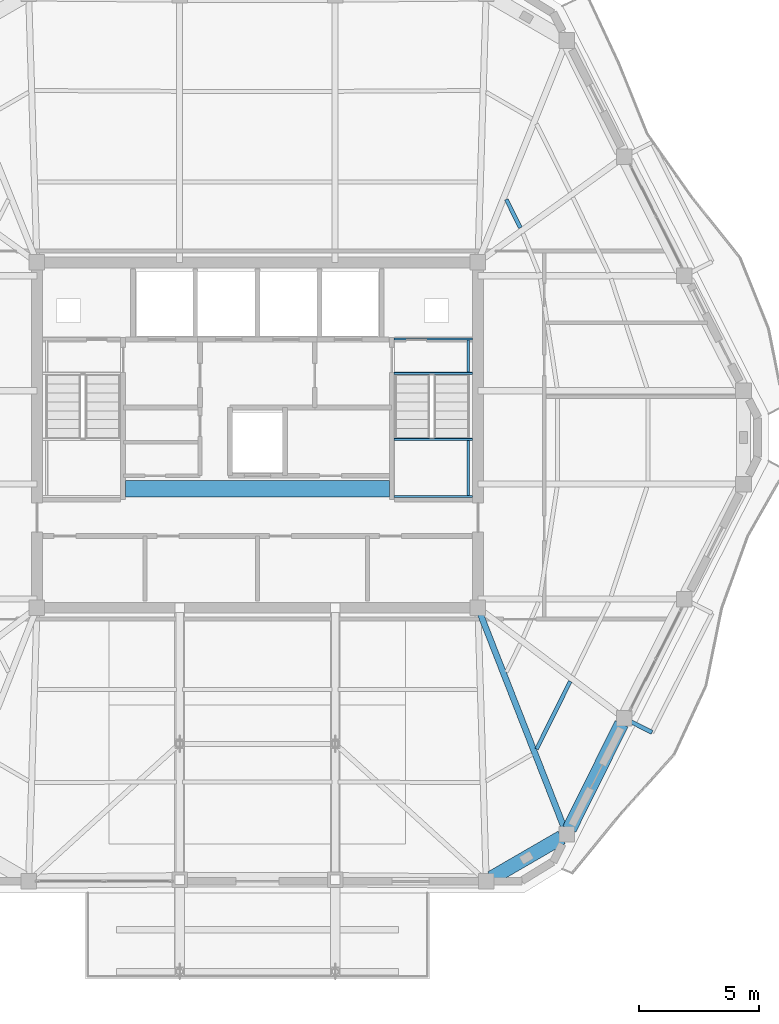
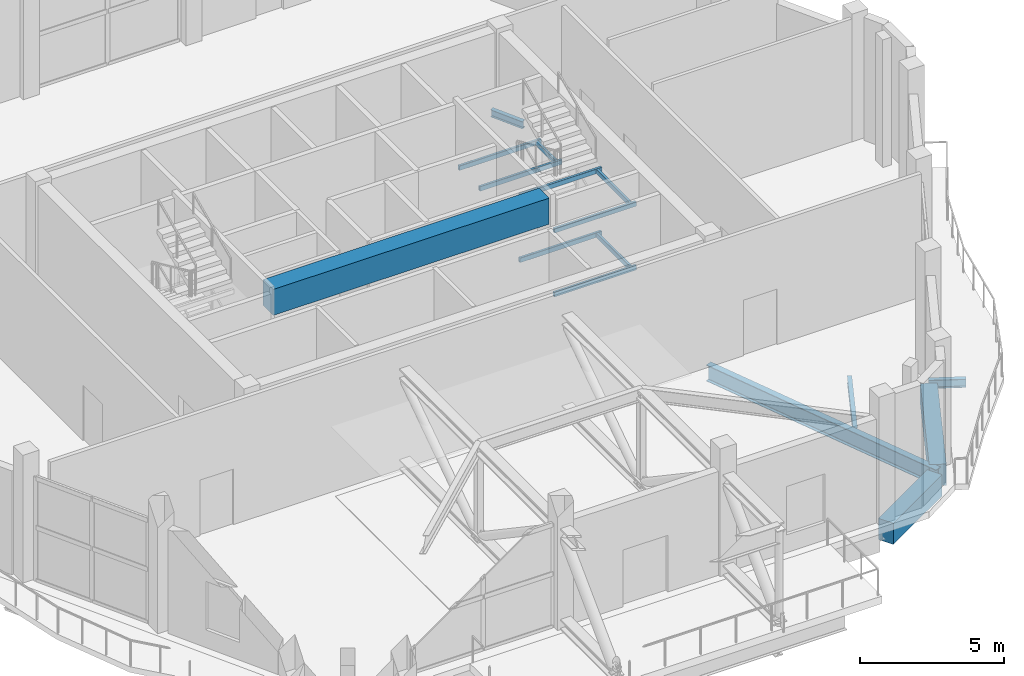
# One storey, part 9 of 23: 16 beams.
"""IFC4 building model written with IfcOpenShell, lengths in metres."""

from ifc_helpers import new_model, si_unit, direction, frame, origin, origin_2d, place, context, subcontext, project, spatial, rectangle, hollow_rectangle, i_section, extrude, material, material_profile, profile_set, type_object, element, save


model = new_model("IFC4")

# Units and contexts
model_context = context("Model", 3, precision=1e-05, world=origin(), true_north=direction((0.0, 1.0)))
body_context = subcontext(model_context, "Body", "Model", "MODEL_VIEW")
ifc_project = project(units=[si_unit("LENGTHUNIT", "METRE"), si_unit("AREAUNIT", "SQUARE_METRE"), si_unit("VOLUMEUNIT", "CUBIC_METRE"), si_unit("PLANEANGLEUNIT", "RADIAN"), si_unit("MASSUNIT", "GRAM", prefix="KILO")], contexts=[model_context])

# Site, building, storey
site_placement = place(None, origin())
site = spatial("IfcSite", under=ifc_project, at=site_placement, CompositionType="ELEMENT")
building_placement = place(site_placement, origin())
building = spatial("IfcBuilding", under=site, at=building_placement, Name="Cinnabar Lancet Tower", CompositionType="ELEMENT")
storey_placement = place(building_placement, frame((0.0, 0.0, 278.10009765625)))
storey = spatial("IfcBuildingStorey", under=building, at=storey_placement, Name="L74", CompositionType="ELEMENT", Elevation=278.10009765625)

# Beams
ifc_material_1 = material(Name="Concrete C70/85", Category="concrete")
ifc_material_profile_1 = material_profile(ifc_material_1, rectangle(XDim=0.699951171875, YDim=1.10009765625, at=origin_2d()), Name="RC-CB 700x1100")
ifc_profile_set_1 = profile_set([ifc_material_profile_1], Name="Concrete C70/85")
beam_type_1 = type_object("IfcBeamType", Name="STR-BM-CB-1100", PredefinedType="BEAM", material=ifc_profile_set_1)
beam_1_placement = place(storey_placement, frame((26.8798828125, 23.64990234375, 4.64990234375), z_axis=(1.0, 0.0, 0.0), x_axis=(0.0, 1.0, 0.0)))
element("IfcBeam", 1, at=beam_1_placement, inside=storey, type_object=beam_type_1, Name="L74 Core Coupling Beam", PredefinedType="BEAM", context=body_context, shape_type="SweptSolid", body=[
    extrude(rectangle(XDim=0.699951171875, YDim=1.10009765625, at=origin_2d()), origin(), (0.0, 0.0, 1.0), 11.0400390625),
])
ifc_material_2 = material(Name="Structural steel S355", Category="steel")
ifc_material_profile_2 = material_profile(ifc_material_2, i_section(OverallWidth=0.1650390625, OverallDepth=0.303466796875, WebThickness=0.006103515625, FlangeThickness=0.01025390625, FilletRadius=0.0087890625, at=origin_2d()), Name="UKB 305x165x40")
ifc_profile_set_2 = profile_set([ifc_material_profile_2], Name="Structural steel S355")
beam_type_2 = type_object("IfcBeamType", Name="STR-BM-JST-305", PredefinedType="JOIST", material=ifc_profile_set_2)
beam_2_placement = place(storey_placement, frame((44.0791015625, 12.759033203125, -0.43212890625), z_axis=(0.444437083941, 0.895810068272, 0.0), x_axis=(-0.895810068272, 0.444437083941, 0.0)))
element("IfcBeam", 2, at=beam_2_placement, inside=storey, type_object=beam_type_2, Name="L74 Secondary Floor Joist 15", PredefinedType="JOIST", context=body_context, shape_type="SweptSolid", body=[
    extrude(i_section(OverallWidth=0.1650390625, OverallDepth=0.303466796875, WebThickness=0.006103515625, FlangeThickness=0.01025390625, FilletRadius=0.0087890625, at=origin_2d()), origin(), (0.0, 0.0, 1.0), 3.16796875),
])
beam_3_placement = place(storey_placement, frame((43.405029296875, 34.569091796875, -0.43212890625), z_axis=(-0.444563017627, 0.895747577925, 0.0), x_axis=(-0.895747577925, -0.444563017627, 0.0)))
element("IfcBeam", 3, at=beam_3_placement, inside=storey, type_object=beam_type_2, Name="L74 Secondary Floor Joist 28", PredefinedType="JOIST", context=body_context, shape_type="SweptSolid", body=[
    extrude(i_section(OverallWidth=0.1650390625, OverallDepth=0.303466796875, WebThickness=0.006103515625, FlangeThickness=0.01025390625, FilletRadius=0.0087890625, at=origin_2d()), origin(), (0.0, 0.0, 1.0), 1.327392578125),
])
ifc_material_3 = material(Name="Structural steel S355", Category="steel")
ifc_material_profile_3 = material_profile(ifc_material_3, hollow_rectangle(XDim=0.10009765625, YDim=0.199951171875, WallThickness=0.008056640625, InnerFilletRadius=0.00390625, OuterFilletRadius=0.011962890625, at=origin_2d()), Name="RHS 200x100x8")
ifc_profile_set_3 = profile_set([ifc_material_profile_3], Name="Structural steel S355")
beam_type_3 = type_object("IfcBeamType", Name="STR-BM-LND-203", PredefinedType="BEAM", material=ifc_profile_set_3)
for number, where, z_axis, x_axis, name in (
    (4, (38.1201171875, 23.330078125, 1.0498046875), (1.0, 0.0, 0.0), (0.0, 1.0, 0.0), "L74 ST-2-L74 Landing Support Beam S"),
    (5, (38.1201171875, 25.719970703125, 1.0498046875), (1.0, 0.0, 0.0), (0.0, 1.0, 0.0), "L74 ST-2-L74 Landing Support Beam N"),
):
    element("IfcBeam", number, at=place(storey_placement, frame(where, z_axis=z_axis, x_axis=x_axis)), inside=storey, type_object=beam_type_3, Name=name, PredefinedType="BEAM", context=body_context, shape_type="SweptSolid", body=[
        extrude(hollow_rectangle(XDim=0.10009765625, YDim=0.199951171875, WallThickness=0.008056640625, InnerFilletRadius=0.00390625, OuterFilletRadius=0.011962890625, at=origin_2d()), origin(), (0.0, 0.0, 1.0), 3.27978515625),
    ])
beam_4_placement = place(storey_placement, frame((41.219970703125, 23.3798828125, 1.0498046875), z_axis=(0.0, 1.0, 0.0), x_axis=(-1.0, 0.0, 0.0)))
element("IfcBeam", 6, at=beam_4_placement, inside=storey, type_object=beam_type_3, Name="L74 ST-2-L74 Landing Side Trimmer Beam", PredefinedType="BEAM", context=body_context, shape_type="SweptSolid", body=[
    extrude(hollow_rectangle(XDim=0.10009765625, YDim=0.199951171875, WallThickness=0.008056640625, InnerFilletRadius=0.00390625, OuterFilletRadius=0.011962890625, at=origin_2d()), origin(), (0.0, 0.0, 1.0), 2.2900390625),
])
for number, where, z_axis, x_axis, name in (
    (7, (38.1201171875, 28.47998046875, 2.39990234375), (1.0, 0.0, 0.0), (0.0, 1.0, 0.0), "L74 ST-2-L74 Landing Support Beam S"),
    (8, (38.1201171875, 29.919921875, 2.39990234375), (1.0, 0.0, 0.0), (0.0, 1.0, 0.0), "L74 ST-2-L74 Landing Support Beam N"),
):
    element("IfcBeam", number, at=place(storey_placement, frame(where, z_axis=z_axis, x_axis=x_axis)), inside=storey, type_object=beam_type_3, Name=name, PredefinedType="BEAM", context=body_context, shape_type="SweptSolid", body=[
        extrude(hollow_rectangle(XDim=0.10009765625, YDim=0.199951171875, WallThickness=0.008056640625, InnerFilletRadius=0.00390625, OuterFilletRadius=0.011962890625, at=origin_2d()), origin(), (0.0, 0.0, 1.0), 3.27978515625),
    ])
beam_5_placement = place(storey_placement, frame((41.219970703125, 28.530029296875, 2.39990234375), z_axis=(0.0, 1.0, 0.0), x_axis=(-1.0, 0.0, 0.0)))
element("IfcBeam", 9, at=beam_5_placement, inside=storey, type_object=beam_type_3, Name="L74 ST-2-L74 Landing Side Trimmer Beam", PredefinedType="BEAM", context=body_context, shape_type="SweptSolid", body=[
    extrude(hollow_rectangle(XDim=0.10009765625, YDim=0.199951171875, WallThickness=0.008056640625, InnerFilletRadius=0.00390625, OuterFilletRadius=0.011962890625, at=origin_2d()), origin(), (0.0, 0.0, 1.0), 1.340087890625),
])
for number, where, z_axis, x_axis, name in (
    (10, (38.1201171875, 23.330078125, 3.75), (1.0, 0.0, 0.0), (0.0, 1.0, 0.0), "L74 ST-2-L74 Landing Support Beam S"),
    (11, (38.1201171875, 25.719970703125, 3.75), (1.0, 0.0, 0.0), (0.0, 1.0, 0.0), "L74 ST-2-L74 Landing Support Beam N"),
):
    element("IfcBeam", number, at=place(storey_placement, frame(where, z_axis=z_axis, x_axis=x_axis)), inside=storey, type_object=beam_type_3, Name=name, PredefinedType="BEAM", context=body_context, shape_type="SweptSolid", body=[
        extrude(hollow_rectangle(XDim=0.10009765625, YDim=0.199951171875, WallThickness=0.008056640625, InnerFilletRadius=0.00390625, OuterFilletRadius=0.011962890625, at=origin_2d()), origin(), (0.0, 0.0, 1.0), 3.27978515625),
    ])
beam_6_placement = place(storey_placement, frame((41.219970703125, 23.3798828125, 3.75), z_axis=(0.0, 1.0, 0.0), x_axis=(-1.0, 0.0, 0.0)))
element("IfcBeam", 12, at=beam_6_placement, inside=storey, type_object=beam_type_3, Name="L74 ST-2-L74 Landing Side Trimmer Beam", PredefinedType="BEAM", context=body_context, shape_type="SweptSolid", body=[
    extrude(hollow_rectangle(XDim=0.10009765625, YDim=0.199951171875, WallThickness=0.008056640625, InnerFilletRadius=0.00390625, OuterFilletRadius=0.011962890625, at=origin_2d()), origin(), (0.0, 0.0, 1.0), 2.2900390625),
])
ifc_material_4 = material(Name="Concrete C60/75", Category="concrete")
ifc_material_profile_4 = material_profile(ifc_material_4, rectangle(XDim=0.60009765625, YDim=0.89990234375, at=origin_2d()), Name="RC-SB 600x900")
ifc_profile_set_4 = profile_set([ifc_material_profile_4], Name="Concrete C60/75")
beam_type_4 = type_object("IfcBeamType", Name="STR-BM-RCSB-900", PredefinedType="SPANDREL", material=ifc_profile_set_4)
beam_7_placement = place(storey_placement, frame((42.18798828125, 7.364013671875, -0.72998046875), z_axis=(0.865230894194, 0.50137361292, 0.0), x_axis=(-0.50137361292, 0.865230894194, 0.0)))
element("IfcBeam", 13, at=beam_7_placement, inside=storey, type_object=beam_type_4, Name="L74 Perimeter Spandrel 4", PredefinedType="SPANDREL", context=body_context, shape_type="SweptSolid", body=[
    extrude(rectangle(XDim=0.60009765625, YDim=0.89990234375, at=origin_2d()), origin(), (0.0, 0.0, 1.0), 3.39453125),
])
beam_8_placement = place(storey_placement, frame((45.451904296875, 9.4150390625, -0.72998046875), z_axis=(0.444372599207, 0.895842058107, 0.0), x_axis=(-0.895842058107, 0.444372599207, 0.0)))
element("IfcBeam", 14, at=beam_8_placement, inside=storey, type_object=beam_type_4, Name="L74 Perimeter Spandrel 5", PredefinedType="SPANDREL", context=body_context, shape_type="SweptSolid", body=[
    extrude(rectangle(XDim=0.60009765625, YDim=0.89990234375, at=origin_2d()), origin(), (0.0, 0.0, 1.0), 4.91943359375),
])
ifc_material_5 = material(Name="Structural steel S355", Category="steel")
ifc_material_profile_5 = material_profile(ifc_material_5, i_section(OverallWidth=0.253662109375, OverallDepth=0.68359375, WebThickness=0.012451171875, FlangeThickness=0.01904296875, FilletRadius=0.01513671875, at=origin_2d()), Name="UKB 686x254x140")
ifc_profile_set_5 = profile_set([ifc_material_profile_5], Name="Structural steel S355")
beam_type_5 = type_object("IfcBeamType", Name="STR-BM-UKB686-140", PredefinedType="BEAM", material=ifc_profile_set_5)
beam_9_placement = place(storey_placement, frame((45.341064453125, 9.19091796875, -0.6220703125), z_axis=(-0.364815017375, 0.931080019707, 0.0), x_axis=(-0.931080019707, -0.364815017375, 0.0)))
element("IfcBeam", 15, at=beam_9_placement, inside=storey, type_object=beam_type_5, Name="L74 Primary Floor Girder 5", PredefinedType="BEAM", context=body_context, shape_type="SweptSolid", body=[
    extrude(i_section(OverallWidth=0.253662109375, OverallDepth=0.68359375, WebThickness=0.012451171875, FlangeThickness=0.01904296875, FilletRadius=0.01513671875, at=origin_2d()), origin(), (0.0, 0.0, 1.0), 10.186279296875),
])
ifc_material_6 = material(Name="Structural steel S355", Category="steel")
ifc_material_profile_6 = material_profile(ifc_material_6, i_section(OverallWidth=0.17138671875, OverallDepth=0.35498046875, WebThickness=0.00732421875, FlangeThickness=0.011474609375, FilletRadius=0.01025390625, at=origin_2d()), Name="UKB 356x171x51")
ifc_profile_set_6 = profile_set([ifc_material_profile_6], Name="Structural steel S355")
beam_type_6 = type_object("IfcBeamType", Name="STR-BM-WAV-OUT", PredefinedType="BEAM", material=ifc_profile_set_6)
beam_10_placement = place(storey_placement, frame((47.7490234375, 14.0458984375, -0.4580078125), z_axis=(0.89227592947, -0.451490493464, 0.0), x_axis=(0.451490493464, 0.89227592947, 0.0)))
element("IfcBeam", 16, at=beam_10_placement, inside=storey, type_object=beam_type_6, Name="L74 Face 2 Balcony Outlooker A", PredefinedType="BEAM", context=body_context, shape_type="SweptSolid", body=[
    extrude(i_section(OverallWidth=0.17138671875, OverallDepth=0.35498046875, WebThickness=0.00732421875, FlangeThickness=0.011474609375, FilletRadius=0.01025390625, at=origin_2d()), origin(), (0.0, 0.0, 1.0), 1.300048828125),
])

save(model, "model.ifc")
